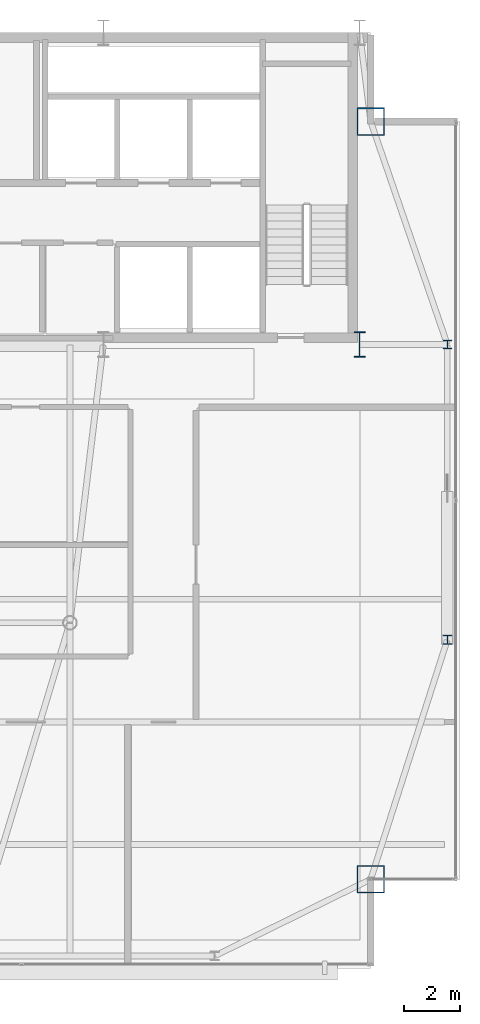
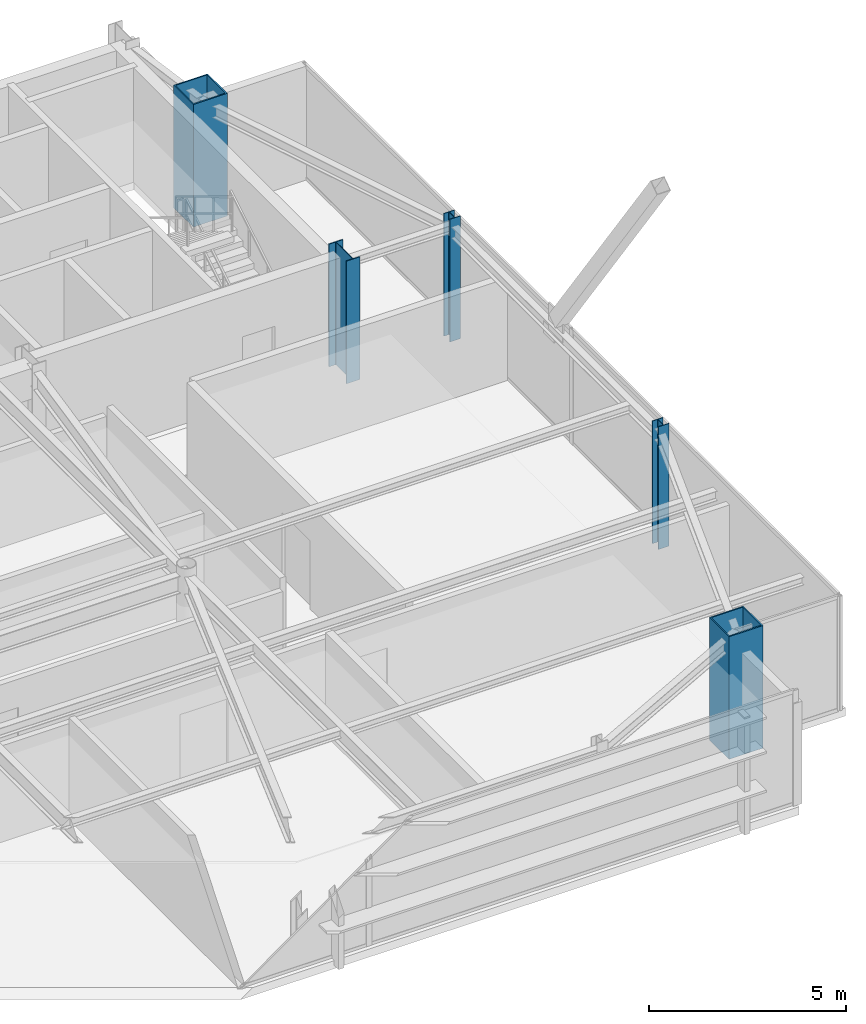
# One storey, part 2 of 24: 5 columns.
"""IFC4 building model written with IfcOpenShell, lengths in metres."""

from ifc_helpers import new_model, si_unit, direction, frame, origin, origin_2d, place, context, subcontext, project, spatial, hollow_rectangle, i_section, extrude, source, transform, mapped, material, material_profile, profile_set, type_object, type_shapes, element, save


model = new_model("IFC4")

# Units and contexts
model_context = context("Model", 3, precision=1e-05, world=origin(), true_north=direction((0.0, 1.0)))
body_context = subcontext(model_context, "Body", "Model", "MODEL_VIEW")
ifc_project = project(units=[si_unit("LENGTHUNIT", "METRE"), si_unit("AREAUNIT", "SQUARE_METRE"), si_unit("VOLUMEUNIT", "CUBIC_METRE"), si_unit("PLANEANGLEUNIT", "RADIAN"), si_unit("MASSUNIT", "GRAM", prefix="KILO")], contexts=[model_context])

# Site, building, storey
site_placement = place(None, origin())
site = spatial("IfcSite", under=ifc_project, at=site_placement, CompositionType="ELEMENT")
building_placement = place(site_placement, origin())
building = spatial("IfcBuilding", under=site, at=building_placement, Name="Varnel Quay Broadcast Tower", CompositionType="ELEMENT")
storey_placement = place(building_placement, frame((0.0, 0.0, 262.199951171875)))
storey = spatial("IfcBuildingStorey", under=building, at=storey_placement, Name="L65", CompositionType="ELEMENT", Elevation=262.199951171875)

# Columns
ifc_material_1 = material(Name="Structural Steel CSA G40.21 350WT", Category="steel")
ifc_material_profile_1 = material_profile(ifc_material_1, i_section(OverallWidth=0.39990234375, OverallDepth=0.89990234375, WebThickness=0.01611328125, FlangeThickness=0.028076171875, FilletRadius=0.01611328125, at=origin_2d()), Name="WWF900X309")
ifc_profile_set_1 = profile_set([ifc_material_profile_1], Name="Structural Steel CSA G40.21 350WT")
column_type_1 = type_object("IfcColumnType", Name="Col_WWF900X309", PredefinedType="COLUMN", material=ifc_profile_set_1)
shared_shape_1 = source(origin(), body_context, "Body", "SweptSolid", [
    extrude(i_section(OverallWidth=0.39990234375, OverallDepth=0.89990234375, WebThickness=0.01611328125, FlangeThickness=0.028076171875, FilletRadius=0.01611328125, at=origin_2d()), origin(), (0.0, 0.0, 1.0), 3.800048828125),
])
type_shapes(column_type_1, [shared_shape_1])
column_placement = place(storey_placement, frame((52.39990234375, 35.60009765625, 0.0), z_axis=(0.0, 0.0, 1.0), x_axis=(1.0, 0.0, 0.0)))
element("IfcColumn", 1, at=column_placement, inside=storey, type_object=column_type_1, Name="L65 Column CC-S5", PredefinedType="COLUMN", context=body_context, shape_type="MappedRepresentation", body=[
    mapped(shared_shape_1, transform((0.0, 0.0, 0.0), x_axis=(1.0, 0.0, 0.0), y_axis=(0.0, 1.0, 0.0), z_axis=(0.0, 0.0, 1.0), scale=1.0)),
])
ifc_material_profile_2 = material_profile(ifc_material_1, hollow_rectangle(XDim=1.0, YDim=1.0, WallThickness=0.0400390625, at=origin_2d()), Name="BOX1000X1000X40")
ifc_profile_set_2 = profile_set([ifc_material_profile_2], Name="Structural Steel CSA G40.21 350WT")
column_type_2 = type_object("IfcColumnType", Name="Col_BOX1000X1000X40", PredefinedType="COLUMN", material=ifc_profile_set_2)
shared_shape_2 = source(origin(), body_context, "Body", "SweptSolid", [
    extrude(hollow_rectangle(XDim=1.0, YDim=1.0, WallThickness=0.0400390625, at=origin_2d()), origin(), (0.0, 0.0, 1.0), 3.800048828125),
])
type_shapes(column_type_2, [shared_shape_2])
for number, where, z_axis, x_axis, name in (
    (2, (52.800048828125, 16.39990234375, 0.0), (0.0, 0.0, 1.0), (1.0, 0.0, 0.0), "L65 Column MC-SE"),
    (3, (52.800048828125, 43.60009765625, 0.0), (0.0, 0.0, 1.0), (1.0, 0.0, 0.0), "L65 Column MC-NE"),
):
    element("IfcColumn", number, at=place(storey_placement, frame(where, z_axis=z_axis, x_axis=x_axis)), inside=storey, type_object=column_type_2, Name=name, PredefinedType="COLUMN", context=body_context, shape_type="MappedRepresentation", body=[
        mapped(shared_shape_2, transform((0.0, 0.0, 0.0), x_axis=(1.0, 0.0, 0.0), y_axis=(0.0, 1.0, 0.0), z_axis=(0.0, 0.0, 1.0), scale=1.0)),
    ])
ifc_material_2 = material(Name="Structural Steel CSA G40.21 350W", Category="steel")
ifc_material_profile_3 = material_profile(ifc_material_2, i_section(OverallWidth=0.30908203125, OverallDepth=0.322998046875, WebThickness=0.013916015625, FlangeThickness=0.02294921875, FilletRadius=0.014892578125, at=origin_2d()), Name="W310X143")
ifc_profile_set_3 = profile_set([ifc_material_profile_3], Name="Structural Steel CSA G40.21 350W")
column_type_3 = type_object("IfcColumnType", Name="Col_W310X143", PredefinedType="COLUMN", material=ifc_profile_set_3)
shared_shape_3 = source(origin(), body_context, "Body", "SweptSolid", [
    extrude(i_section(OverallWidth=0.30908203125, OverallDepth=0.322998046875, WebThickness=0.013916015625, FlangeThickness=0.02294921875, FilletRadius=0.014892578125, at=origin_2d()), origin(), (0.0, 0.0, 1.0), 3.800048828125),
])
type_shapes(column_type_3, [shared_shape_3])
for number, where, z_axis, x_axis, name in (
    (4, (55.550048828125, 25.0, 0.0), (0.0, 0.0, 1.0), (1.0, 0.0, 0.0), "L65 Column TC-E1"),
    (5, (55.550048828125, 35.60009765625, 0.0), (0.0, 0.0, 1.0), (1.0, 0.0, 0.0), "L65 Column TC-E2"),
):
    element("IfcColumn", number, at=place(storey_placement, frame(where, z_axis=z_axis, x_axis=x_axis)), inside=storey, type_object=column_type_3, Name=name, PredefinedType="COLUMN", context=body_context, shape_type="MappedRepresentation", body=[
        mapped(shared_shape_3, transform((0.0, 0.0, 0.0), x_axis=(1.0, 0.0, 0.0), y_axis=(0.0, 1.0, 0.0), z_axis=(0.0, 0.0, 1.0), scale=1.0)),
    ])

save(model, "model.ifc")
